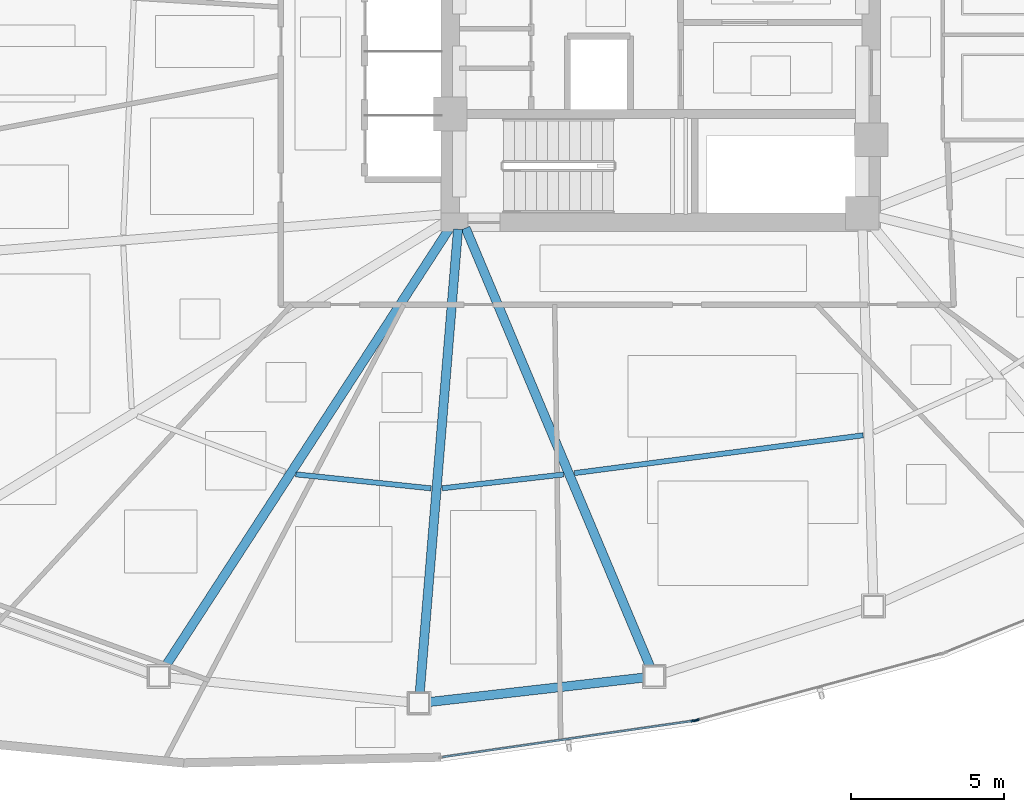
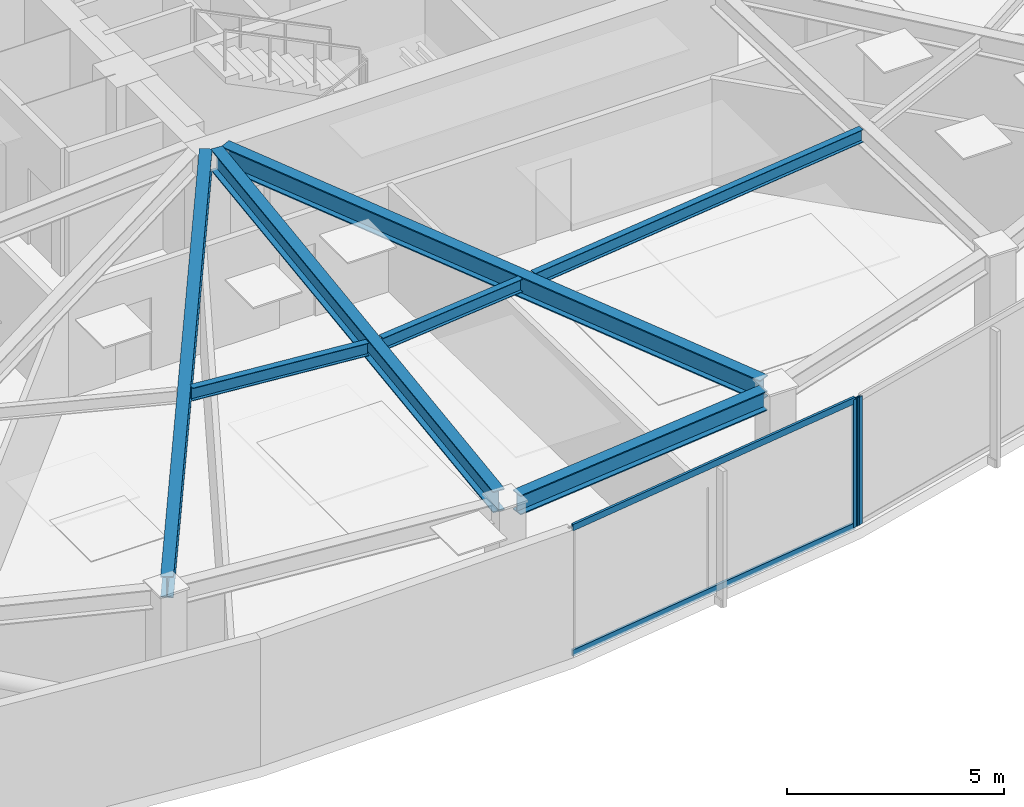
# One storey, part 3 of 17: 7 beams, 4 members, 2 elements without a shape of their own.
"""IFC4 building model written with IfcOpenShell, lengths in metres."""

import ifcopenshell
import ifcopenshell.guid

model = None  # the IFC model being written
_history = None  # IfcOwnerHistory: only IFC2X3 demands one
_inside = {}  # id of a spatial element -> (the spatial element, [elements in it])
_under = {}  # id of a project, library or spatial element -> (it, [spatial elements below it])
_declared = {}  # id of a project -> (the project, [libraries it declares])
_typed = {}  # id of a type object -> (the type object, [elements of that type])
_made_of = {}  # id of a material, layer set ... -> (it, [elements and type objects made of it])


def new_model(schema):
    """Start an empty IFC model of exactly this schema.

    Asked for "IFC4X3", IfcOpenShell would pick the latest addendum, in which some entities
    have other attributes; the version numbers below select the first issue.
    IFC2X3 requires an IfcOwnerHistory on every rooted entity: one is made here for all.
    """
    global model, _history
    if schema == "IFC4X3":
        model = ifcopenshell.file(schema_version=(4, 3, 0, 0))
    else:
        model = ifcopenshell.file(schema=schema)
    _inside.clear()
    _under.clear()
    _declared.clear()
    _typed.clear()
    _made_of.clear()
    _history = None
    if model.schema == "IFC2X3":
        org = make("IfcOrganization", Name="unknown")
        user = make(
            "IfcPersonAndOrganization",
            ThePerson=make("IfcPerson", FamilyName="unknown"),
            TheOrganization=org,
        )
        app = make(
            "IfcApplication",
            ApplicationDeveloper=org,
            Version="unknown",
            ApplicationFullName="unknown",
            ApplicationIdentifier="unknown",
        )
        _history = make(
            "IfcOwnerHistory",
            OwningUser=user,
            OwningApplication=app,
            ChangeAction="ADDED",
            CreationDate=0,
        )
    return model


def make(cls, **values):
    """One entity of the class cls with the attributes given. An attribute that is None is left unset."""
    return model.create_entity(
        cls, **{name: value for name, value in values.items() if value is not None}
    )


def rooted(cls, **values):
    """An entity with a GlobalId (a new one), such as an element, a storey or a relation."""
    return make(cls, GlobalId=ifcopenshell.guid.new(), OwnerHistory=_history, **values)


def si_unit(unit_type, name, prefix=None):
    """IfcSIUnit, for example si_unit("LENGTHUNIT", "METRE", prefix="MILLI")."""
    return make("IfcSIUnit", UnitType=unit_type, Prefix=prefix, Name=name)


def assignment(units):
    """IfcUnitAssignment: the units of a project."""
    return None if units is None else make("IfcUnitAssignment", Units=units)


def point(xyz):
    """IfcCartesianPoint."""
    return None if xyz is None else make("IfcCartesianPoint", Coordinates=xyz)


def direction(xyz):
    """IfcDirection."""
    return None if xyz is None else make("IfcDirection", DirectionRatios=xyz)


def frame(location, z_axis=None, x_axis=None):
    """IfcAxis2Placement3D, a coordinate frame: its origin and axes. An axis left out is left unset."""
    return make(
        "IfcAxis2Placement3D",
        Location=point(location),
        Axis=direction(z_axis),
        RefDirection=direction(x_axis),
    )


def frame_2d(location, x_axis=None):
    """IfcAxis2Placement2D, a coordinate frame in the plane: its origin and x axis."""
    return make(
        "IfcAxis2Placement2D", Location=point(location), RefDirection=direction(x_axis)
    )


def origin():
    """The frame at (0, 0, 0) with its axes left unset."""
    return frame((0.0, 0.0, 0.0))


def origin_2d():
    """The frame at (0, 0) in the plane with its x axis left unset."""
    return frame_2d((0.0, 0.0))


def place(relative_to, where):
    """IfcLocalPlacement: puts the frame where relative to a parent placement (None: the world)."""
    return make(
        "IfcLocalPlacement", PlacementRelTo=relative_to, RelativePlacement=where
    )


def context(
    kind, dimensions, precision=None, world=None, true_north=None, identifier=None
):
    """IfcGeometricRepresentationContext, for example the 3D "Model" context."""
    return make(
        "IfcGeometricRepresentationContext",
        ContextIdentifier=identifier,
        ContextType=kind,
        CoordinateSpaceDimension=dimensions,
        Precision=precision,
        WorldCoordinateSystem=world,
        TrueNorth=true_north,
    )


def subcontext(parent, identifier, kind, view, scale=None):
    """IfcGeometricRepresentationSubContext, for example "Body" below "Model"."""
    return make(
        "IfcGeometricRepresentationSubContext",
        ContextIdentifier=identifier,
        ContextType=kind,
        ParentContext=parent,
        TargetScale=scale,
        TargetView=view,
    )


def project(units=None, contexts=None):
    """IfcProject with its units and contexts."""
    return rooted(
        "IfcProject",
        Name="project",
        RepresentationContexts=contexts,
        UnitsInContext=assignment(units),
    )


def spatial(cls, under=None, at=None, **own):
    """A site, building, storey or space (cls), placed at a placement, below another one or the project."""
    s = rooted(cls, ObjectPlacement=at, **own)
    if under is not None:
        _under.setdefault(under.id(), (under, []))[1].append(s)
    return s


def profile(cls, at=None, kind="AREA", **sizes):
    """A parametric profile (cls). Its sizes go by their IFC names, for example OverallWidth=200.0."""
    return make(cls, ProfileType=kind, Position=at, **sizes)


def hollow_rectangle(**sizes):
    """IfcRectangleHollowProfileDef."""
    return profile("IfcRectangleHollowProfileDef", **sizes)


def i_section(**sizes):
    """IfcIShapeProfileDef."""
    return profile("IfcIShapeProfileDef", **sizes)


def extrude(swept, where, along, depth):
    """IfcExtrudedAreaSolid: the profile swept, set in the frame where, extruded along a direction by depth."""
    return make(
        "IfcExtrudedAreaSolid",
        SweptArea=swept,
        Position=where,
        ExtrudedDirection=direction(along),
        Depth=depth,
    )


def shape(context_of_items, identifier, shape_type, items):
    """IfcShapeRepresentation: the items that make up one representation, for example the "Body"."""
    return make(
        "IfcShapeRepresentation",
        ContextOfItems=context_of_items,
        RepresentationIdentifier=identifier,
        RepresentationType=shape_type,
        Items=items,
    )


def source(mapping_origin, context_of_items, identifier, shape_type, items):
    """IfcRepresentationMap: a shape defined once, which mapped items show again and again."""
    return make(
        "IfcRepresentationMap",
        MappingOrigin=mapping_origin,
        MappedRepresentation=shape(context_of_items, identifier, shape_type, items),
    )


def transform(
    local_origin,
    x_axis=None,
    y_axis=None,
    z_axis=None,
    scale=None,
    scale2=None,
    scale3=None,
    uniform=True,
):
    """IfcCartesianTransformationOperator3D, or its non-uniform kind. x_axis, y_axis, z_axis: its Axis1, 2, 3."""
    if uniform:
        return make(
            "IfcCartesianTransformationOperator3D",
            Axis1=direction(x_axis),
            Axis2=direction(y_axis),
            LocalOrigin=point(local_origin),
            Scale=scale,
            Axis3=direction(z_axis),
        )
    return make(
        "IfcCartesianTransformationOperator3DnonUniform",
        Axis1=direction(x_axis),
        Axis2=direction(y_axis),
        LocalOrigin=point(local_origin),
        Scale=scale,
        Axis3=direction(z_axis),
        Scale2=scale2,
        Scale3=scale3,
    )


def mapped(mapping_source, mapping_target):
    """IfcMappedItem: shows the shape of a source again, moved by a transform."""
    return make(
        "IfcMappedItem", MappingSource=mapping_source, MappingTarget=mapping_target
    )


def material(Name=None, Category=None):
    """IfcMaterial."""
    return make("IfcMaterial", Name=Name, Category=Category)


def layer(
    of_material, thickness, ventilated=None, Name=None, Category=None, Priority=None
):
    """IfcMaterialLayer: one layer of a wall or slab, of a material (None: an air gap)."""
    return make(
        "IfcMaterialLayer",
        Material=of_material,
        LayerThickness=thickness,
        IsVentilated=ventilated,
        Name=Name,
        Category=Category,
        Priority=Priority,
    )


def layer_set(layers, Name=None):
    """IfcMaterialLayerSet."""
    return make("IfcMaterialLayerSet", MaterialLayers=layers, LayerSetName=Name)


def material_profile(
    of_material, cross_section, Name=None, Category=None, Priority=None
):
    """IfcMaterialProfile: a cross section and its material."""
    return make(
        "IfcMaterialProfile",
        Name=Name,
        Material=of_material,
        Profile=cross_section,
        Priority=Priority,
        Category=Category,
    )


def profile_set(profiles, Name=None, composite=None):
    """IfcMaterialProfileSet."""
    return make(
        "IfcMaterialProfileSet",
        Name=Name,
        MaterialProfiles=profiles,
        CompositeProfile=composite,
    )


def made_of(thing, what):
    """Note that an element or type object is made of a material, layer set ...; save() writes the relation."""
    if what is not None:
        _made_of.setdefault(what.id(), (what, []))[1].append(thing)
    return thing


def type_object(cls, material=None, **own):
    """A type object (cls), such as IfcWallType, which elements share."""
    return made_of(rooted(cls, **own), material)


def type_shapes(of_type, sources):
    """Give a type object the sources (RepresentationMaps) that its elements show as mapped items."""
    of_type.RepresentationMaps = sources


def element(
    cls,
    number,
    at=None,
    inside=None,
    cuts=None,
    type_object=None,
    material=None,
    context=None,
    identifier="Body",
    shape_type=None,
    held_by="IfcProductDefinitionShape",
    body=None,
    shapes=None,
    **own,
):
    """One element of the class cls, such as IfcWall. Its Tag is "e" and its number.

    at: its placement. inside: the storey or other place that contains it. cuts: it is an
    opening in that element (IfcRelVoidsElement). A single representation is given by context,
    identifier, shape_type and body (its items); several are given by shapes. held_by: the class
    of the entity that holds the representations. save() writes the other relations.
    """
    e = rooted(cls, Tag="e%d" % number, ObjectPlacement=at, **own)
    if body is not None:
        shapes = [shape(context, identifier, shape_type, body)]
    if shapes is not None:
        e.Representation = make(held_by, Representations=shapes)
    if inside is not None:
        _inside.setdefault(inside.id(), (inside, []))[1].append(e)
    if cuts is not None:
        rooted(
            "IfcRelVoidsElement", RelatingBuildingElement=cuts, RelatedOpeningElement=e
        )
    if type_object is not None:
        _typed.setdefault(type_object.id(), (type_object, []))[1].append(e)
    return made_of(e, material)


def aggregate(whole, parts):
    """IfcRelAggregates: a whole, such as a stair, and the parts it consists of."""
    return rooted("IfcRelAggregates", RelatingObject=whole, RelatedObjects=parts)


def save(model, path):
    """Write the relations noted so far, then the file.

    IfcRelAggregates (storeys below a building ...), IfcRelContainedInSpatialStructure (elements
    in a storey), IfcRelDefinesByType, IfcRelAssociatesMaterial and IfcRelDeclares: one each for
    every whole, place, type object, material and project.
    """
    for whole, parts in _under.values():
        aggregate(whole, parts)
    for where, things in _inside.values():
        rooted(
            "IfcRelContainedInSpatialStructure",
            RelatedElements=things,
            RelatingStructure=where,
        )
    for kind, things in _typed.values():
        rooted("IfcRelDefinesByType", RelatedObjects=things, RelatingType=kind)
    for what, things in _made_of.values():
        rooted("IfcRelAssociatesMaterial", RelatedObjects=things, RelatingMaterial=what)
    for by, libraries in _declared.values():
        rooted("IfcRelDeclares", RelatingContext=by, RelatedDefinitions=libraries)
    model.write(path)


model = new_model("IFC4")

# Units and contexts
model_context = context("Model", 3, precision=1e-05, world=origin(), true_north=direction((0.0, 1.0)))
body_context = subcontext(model_context, "Body", "Model", "MODEL_VIEW")
ifc_project = project(units=[si_unit("LENGTHUNIT", "METRE"), si_unit("AREAUNIT", "SQUARE_METRE"), si_unit("VOLUMEUNIT", "CUBIC_METRE"), si_unit("PLANEANGLEUNIT", "RADIAN"), si_unit("MASSUNIT", "GRAM", prefix="KILO")], contexts=[model_context])

# Site, building, storey
site_placement = place(None, origin())
site = spatial("IfcSite", under=ifc_project, at=site_placement, CompositionType="ELEMENT")
building_placement = place(site_placement, origin())
building = spatial("IfcBuilding", under=site, at=building_placement, Name="Tavelor Broadcast Tower", CompositionType="ELEMENT")
storey_placement = place(building_placement, frame((0.0, 0.0, 74.39990234375)))
storey = spatial("IfcBuildingStorey", under=building, at=storey_placement, Name="L17", CompositionType="ELEMENT", Elevation=74.39990234375)

# Beams
ifc_material_1 = material(Name="Steel S355", Category="steel")
ifc_material_profile_1 = material_profile(ifc_material_1, i_section(OverallWidth=0.169921875, OverallDepth=0.360107421875, WebThickness=0.008056640625, FlangeThickness=0.0126953125, at=origin_2d()), Name="IPE 360")
ifc_profile_set_1 = profile_set([ifc_material_profile_1], Name="Steel S355")
beam_type_1 = type_object("IfcBeamType", Name="Composite Floor Joist T2 IPE 360", PredefinedType="JOIST", material=ifc_profile_set_1)
beam_1_placement = place(storey_placement, frame((38.04052734375, 30.240966796875, 3.420166015625), z_axis=(0.99467108558, -0.103099134387, 0.0), x_axis=(0.103099134387, 0.99467108558, 0.0)))
element("IfcBeam", 1, at=beam_1_placement, inside=storey, type_object=beam_type_1, Name="L17 Secondary Composite Floor Joist 08", PredefinedType="JOIST", context=body_context, shape_type="SweptSolid", body=[
    extrude(i_section(OverallWidth=0.169921875, OverallDepth=0.360107421875, WebThickness=0.008056640625, FlangeThickness=0.0126953125, at=origin_2d()), origin(), (0.0, 0.0, 1.0), 4.45654296875),
])
beam_2_placement = place(storey_placement, frame((42.833251953125, 29.783203125, 3.420166015625), z_axis=(0.993569155888, 0.113226906995, 0.0), x_axis=(-0.113226906995, 0.993569155888, 0.0)))
element("IfcBeam", 2, at=beam_2_placement, inside=storey, type_object=beam_type_1, Name="L17 Secondary Composite Floor Joist 09", PredefinedType="JOIST", context=body_context, shape_type="SweptSolid", body=[
    extrude(i_section(OverallWidth=0.169921875, OverallDepth=0.360107421875, WebThickness=0.008056640625, FlangeThickness=0.0126953125, at=origin_2d()), origin(), (0.0, 0.0, 1.0), 4.00634765625),
])
beam_3_placement = place(storey_placement, frame((47.173095703125, 30.281005859375, 3.420166015625), z_axis=(0.991523318151, 0.129928863469, 0.0), x_axis=(-0.129928863469, 0.991523318151, 0.0)))
element("IfcBeam", 3, at=beam_3_placement, inside=storey, type_object=beam_type_1, Name="L17 Secondary Composite Floor Joist 10", PredefinedType="JOIST", context=body_context, shape_type="SweptSolid", body=[
    extrude(i_section(OverallWidth=0.169921875, OverallDepth=0.360107421875, WebThickness=0.008056640625, FlangeThickness=0.0126953125, at=origin_2d()), origin(), (0.0, 0.0, 1.0), 9.539794921875),
])
ifc_material_profile_2 = material_profile(ifc_material_1, i_section(OverallWidth=0.300048828125, OverallDepth=0.550048828125, WebThickness=0.014892578125, FlangeThickness=0.029052734375, at=origin_2d()), Name="HEB 550")
ifc_profile_set_2 = profile_set([ifc_material_profile_2], Name="Steel S355")
beam_type_2 = type_object("IfcBeamType", Name="Perimeter Spandrel Beam T2 HEB 550", PredefinedType="SPANDREL", material=ifc_profile_set_2)
beam_4_placement = place(storey_placement, frame((42.406982421875, 22.778564453125, 3.3251953125), z_axis=(0.993591905029, 0.113027104096, 0.0), x_axis=(-0.113027104096, 0.993591905029, 0.0)))
element("IfcBeam", 4, at=beam_4_placement, inside=storey, type_object=beam_type_2, Name="L17 Framed-Tube Ring Spandrel 09", PredefinedType="SPANDREL", context=body_context, shape_type="SweptSolid", body=[
    extrude(i_section(OverallWidth=0.300048828125, OverallDepth=0.550048828125, WebThickness=0.014892578125, FlangeThickness=0.029052734375, at=origin_2d()), origin(), (0.0, 0.0, 1.0), 7.09130859375),
])
ifc_material_profile_3 = material_profile(ifc_material_1, i_section(OverallWidth=0.300048828125, OverallDepth=0.60009765625, WebThickness=0.015380859375, FlangeThickness=0.030029296875, at=origin_2d()), Name="HEB 600")
ifc_profile_set_3 = profile_set([ifc_material_profile_3], Name="Steel S355")
beam_type_3 = type_object("IfcBeamType", Name="Radial Floor Girder T2 HEB 600", PredefinedType="BEAM", material=ifc_profile_set_3)
beam_5_placement = place(storey_placement, frame((43.11279296875, 38.35693359375, 3.300048828125), z_axis=(-0.544192452451, -0.838960413068, 0.0), x_axis=(0.838960413068, -0.544192452451, 0.0)))
element("IfcBeam", 5, at=beam_5_placement, inside=storey, type_object=beam_type_3, Name="L17 Radial Primary Floor Girder 08", PredefinedType="BEAM", context=body_context, shape_type="SweptSolid", body=[
    extrude(i_section(OverallWidth=0.300048828125, OverallDepth=0.60009765625, WebThickness=0.015380859375, FlangeThickness=0.030029296875, at=origin_2d()), origin(), (0.0, 0.0, 1.0), 17.235107421875),
])
beam_6_placement = place(storey_placement, frame((43.3564453125, 38.273681640625, 3.300048828125), z_axis=(-0.082335312762, -0.996604684051, 0.0), x_axis=(0.996604684051, -0.082335312762, 0.0)))
element("IfcBeam", 6, at=beam_6_placement, inside=storey, type_object=beam_type_3, Name="L17 Radial Primary Floor Girder 09", PredefinedType="BEAM", context=body_context, shape_type="SweptSolid", body=[
    extrude(i_section(OverallWidth=0.300048828125, OverallDepth=0.60009765625, WebThickness=0.015380859375, FlangeThickness=0.030029296875, at=origin_2d()), origin(), (0.0, 0.0, 1.0), 15.25),
])
beam_7_placement = place(storey_placement, frame((43.604736328125, 38.313232421875, 3.300048828125), z_axis=(0.387755556571, -0.921762240683, 0.0), x_axis=(0.921762240683, 0.387755556571, 0.0)))
element("IfcBeam", 7, at=beam_7_placement, inside=storey, type_object=beam_type_3, Name="L17 Radial Primary Floor Girder 10", PredefinedType="BEAM", context=body_context, shape_type="SweptSolid", body=[
    extrude(i_section(OverallWidth=0.300048828125, OverallDepth=0.60009765625, WebThickness=0.015380859375, FlangeThickness=0.030029296875, at=origin_2d()), origin(), (0.0, 0.0, 1.0), 15.6064453125),
])

# Curtain wall, member
ifc_material_2 = material(Name="Architectural Anodized Aluminium", Category="aluminium")
ifc_layer = layer(ifc_material_2, 0.179931640625)
ifc_layer_set = layer_set([ifc_layer], Name="Architectural Anodized Aluminium")
curtain_wall_type = type_object("IfcCurtainWallType", Name="Tower Low-Zone Unitised Curtain Wall CW02", PredefinedType="NOTDEFINED", material=ifc_layer_set)
curtain_wall_1_placement = place(storey_placement, origin())
curtain_wall_1 = element("IfcCurtainWall", 8, at=curtain_wall_1_placement, inside=storey, type_object=curtain_wall_type, Name="L17 Curtain Wall CW02 Run 161", PredefinedType="NOTDEFINED")
ifc_material_profile_4 = material_profile(ifc_material_2, hollow_rectangle(XDim=0.06494140625, YDim=0.179931640625, WallThickness=0.02197265625, at=origin_2d()), Name="RHS 65x180x22")
ifc_profile_set_4 = profile_set([ifc_material_profile_4], Name="Architectural Anodized Aluminium")
member_type_1 = type_object("IfcMemberType", Name="CW02 Extruded Aluminium Mullion 65x180", PredefinedType="MULLION", material=ifc_profile_set_4)
shared_shape_1 = source(origin(), body_context, "Body", "SweptSolid", [
    extrude(hollow_rectangle(XDim=0.06494140625, YDim=0.179931640625, WallThickness=0.02197265625, at=origin_2d()), origin(), (0.0, 0.0, 1.0), 3.60009765625),
])
type_shapes(member_type_1, [shared_shape_1])
member_1_placement = place(storey_placement, frame((51.08056640625, 22.164794921875, 0.0), z_axis=(0.0, 0.0, 1.0), x_axis=(-0.14304960165, 0.989715520474, 0.0)))
member_1 = element("IfcMember", 9, at=member_1_placement, type_object=member_type_1, Name="CW02 mullion 2", PredefinedType="MULLION", context=body_context, shape_type="MappedRepresentation", body=[
    mapped(shared_shape_1, transform((0.0, 0.0, 0.0), scale=1.0)),
])

curtain_wall_2_placement = place(storey_placement, origin())
curtain_wall_2 = element("IfcCurtainWall", 10, at=curtain_wall_2_placement, inside=storey, type_object=curtain_wall_type, Name="L17 Curtain Wall CW02 Run 162", PredefinedType="NOTDEFINED")
member_2_placement = place(storey_placement, frame((51.17333984375, 22.18408203125, 0.0), z_axis=(0.0, 0.0, 1.0), x_axis=(-0.261769613665, 0.965130389824, 0.0)))
member_2 = element("IfcMember", 11, at=member_2_placement, type_object=member_type_1, Name="CW02 mullion 1", PredefinedType="MULLION", context=body_context, shape_type="MappedRepresentation", body=[
    mapped(shared_shape_1, transform((0.0, 0.0, 0.0), scale=1.0)),
])
aggregate(curtain_wall_2, [member_2])

# Member
ifc_material_profile_5 = material_profile(ifc_material_2, hollow_rectangle(XDim=0.06494140625, YDim=0.179931640625, WallThickness=0.02197265625, at=origin_2d()), Name="RHS 65x180x22")
ifc_profile_set_5 = profile_set([ifc_material_profile_5], Name="Architectural Anodized Aluminium")
member_type_2 = type_object("IfcMemberType", Name="CW02 Extruded Aluminium Transom 65x180", PredefinedType="USERDEFINED", material=ifc_profile_set_5)
shared_shape_2 = source(origin(), body_context, "Body", "SweptSolid", [
    extrude(hollow_rectangle(XDim=0.06494140625, YDim=0.179931640625, WallThickness=0.02197265625, at=origin_2d()), origin(), (0.0, 0.0, 1.0), 8.28662109375),
])
type_shapes(member_type_2, [shared_shape_2])
member_3_placement = place(storey_placement, frame((42.846923828125, 20.974853515625, 0.03271484375), z_axis=(0.989717191115, 0.143038042535, 0.0), x_axis=(-0.143038042535, 0.989717191115, 0.0)))
member_3 = element("IfcMember", 12, at=member_3_placement, type_object=member_type_2, Name="CW02 transom 1.1", ObjectType="TRANSOM", PredefinedType="USERDEFINED", context=body_context, shape_type="MappedRepresentation", body=[
    mapped(shared_shape_2, transform((0.0, 0.0, 0.0), scale=1.0)),
])

member_4_placement = place(storey_placement, frame((42.846923828125, 20.974853515625, 3.567626953125), z_axis=(0.989717191115, 0.143038042535, 0.0), x_axis=(-0.143038042535, 0.989717191115, 0.0)))
member_4 = element("IfcMember", 13, at=member_4_placement, type_object=member_type_2, Name="CW02 transom 1.2", ObjectType="TRANSOM", PredefinedType="USERDEFINED", context=body_context, shape_type="MappedRepresentation", body=[
    mapped(shared_shape_2, transform((0.0, 0.0, 0.0), scale=1.0)),
])

aggregate(curtain_wall_1, [member_1, member_3, member_4])

save(model, "model.ifc")
